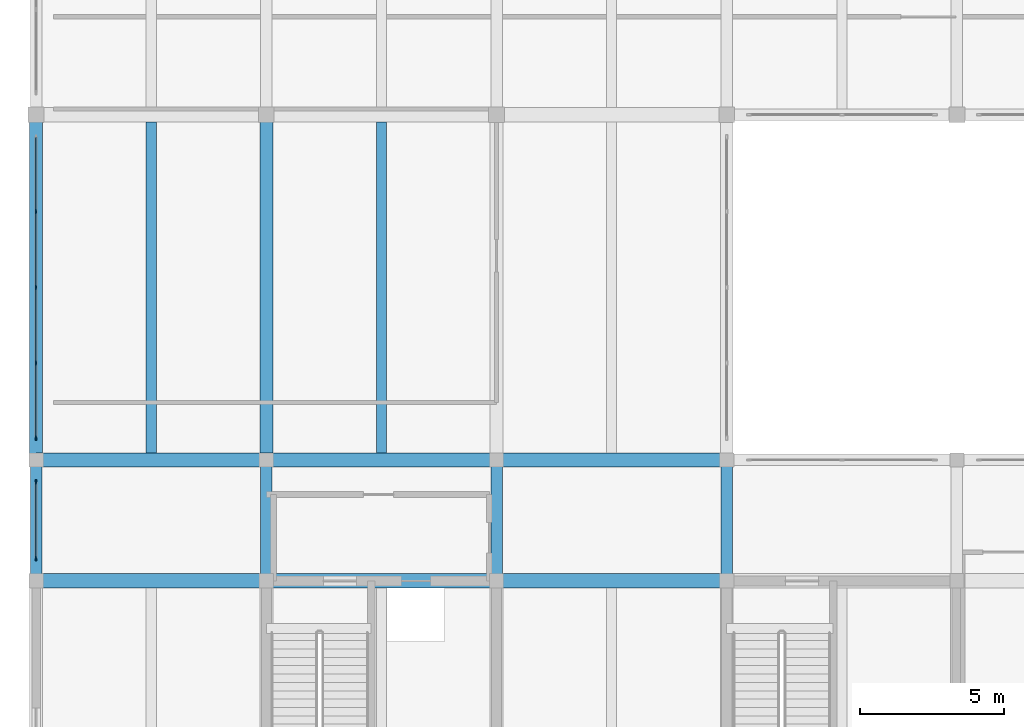
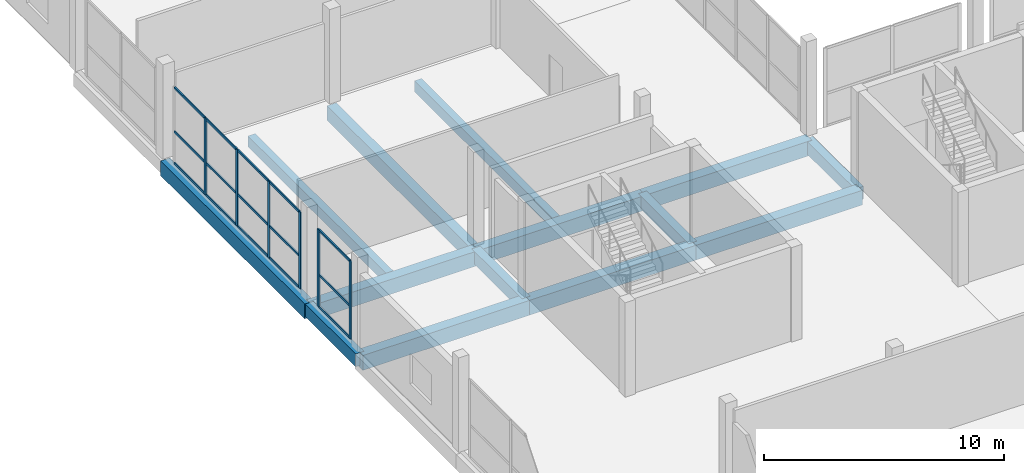
# One storey, part 13 of 47: 21 members, 14 beams, 2 elements without a shape of their own.
"""IFC4 building model written with IfcOpenShell, lengths in metres."""

from ifc_helpers import new_model, si_unit, direction, frame, origin, origin_2d, place, context, subcontext, project, spatial, rectangle, extrude, material, material_profile, profile_set, type_object, element, aggregate, save


model = new_model("IFC4")

# Units and contexts
model_context = context("Model", 3, precision=1e-05, world=origin(), true_north=direction((0.0, 1.0)))
body_context = subcontext(model_context, "Body", "Model", "MODEL_VIEW")
ifc_project = project(units=[si_unit("LENGTHUNIT", "METRE"), si_unit("AREAUNIT", "SQUARE_METRE"), si_unit("VOLUMEUNIT", "CUBIC_METRE"), si_unit("PLANEANGLEUNIT", "RADIAN"), si_unit("MASSUNIT", "GRAM", prefix="KILO")], contexts=[model_context])

# Site, building, storey
site_placement = place(None, origin())
site = spatial("IfcSite", under=ifc_project, at=site_placement, CompositionType="ELEMENT")
building_placement = place(site_placement, origin())
building = spatial("IfcBuilding", under=site, at=building_placement, Name="Vharandega Faculty of Natural Sciences", CompositionType="ELEMENT")
storey_placement = place(building_placement, frame((0.0, 0.0, 5.39990234375)))
storey = spatial("IfcBuildingStorey", under=building, at=storey_placement, Name="L01", CompositionType="ELEMENT", Elevation=5.39990234375)

# Curtain wall, members
ifc_material_1 = material(Name="Aluminium and solar-control glass curtain wall", Category="aluminium")
curtain_wall_type_1 = type_object("IfcCurtainWallType", Name="Unitised Curtain Wall System CW-15", PredefinedType="NOTDEFINED", material=ifc_material_1)
curtain_wall_1_placement = place(storey_placement, origin())
curtain_wall_1 = element("IfcCurtainWall", 1, at=curtain_wall_1_placement, inside=storey, type_object=curtain_wall_type_1, Name="Curtain Wall CW-L01-042", PredefinedType="NOTDEFINED")
ifc_material_2 = material(Name="Thermally broken aluminium 6063-T6", Category="aluminium")
ifc_material_profile_1 = material_profile(ifc_material_2, rectangle(XDim=0.06005859375, YDim=0.159912109375, at=origin_2d()), Name="ALU 60x160")
ifc_profile_set_1 = profile_set([ifc_material_profile_1], Name="Thermally broken aluminium 6063-T6")
member_type_1 = type_object("IfcMemberType", Name="CW Mullion 60x160", PredefinedType="MULLION", material=ifc_profile_set_1)
member_1_placement = place(storey_placement, frame((0.0, 81.570068359375, 0.0), z_axis=(0.0, 0.0, 1.0), x_axis=(-1.0, 0.0, 0.0)))
member_1 = element("IfcMember", 2, at=member_1_placement, type_object=member_type_1, Name="CW-15 mullion 1", PredefinedType="MULLION", context=body_context, shape_type="SweptSolid", body=[
    extrude(rectangle(XDim=0.06005859375, YDim=0.159912109375, at=origin_2d()), origin(), (0.0, 0.0, 1.0), 3.940185546875),
])
member_2_placement = place(storey_placement, frame((0.0, 84.22998046875, 0.0), z_axis=(0.0, 0.0, 1.0), x_axis=(-1.0, 0.0, 0.0)))
member_2 = element("IfcMember", 3, at=member_2_placement, type_object=member_type_1, Name="CW-15 mullion 2", PredefinedType="MULLION", context=body_context, shape_type="SweptSolid", body=[
    extrude(rectangle(XDim=0.06005859375, YDim=0.159912109375, at=origin_2d()), origin(), (0.0, 0.0, 1.0), 3.940185546875),
])

ifc_material_3 = material(Name="Aluminium and solar-control glass curtain wall", Category="aluminium")
curtain_wall_type_2 = type_object("IfcCurtainWallType", Name="Unitised Curtain Wall System CW-16", PredefinedType="NOTDEFINED", material=ifc_material_3)
curtain_wall_2_placement = place(storey_placement, origin())
curtain_wall_2 = element("IfcCurtainWall", 4, at=curtain_wall_2_placement, inside=storey, type_object=curtain_wall_type_2, Name="Curtain Wall CW-L01-043", PredefinedType="NOTDEFINED")
member_3_placement = place(storey_placement, frame((0.0, 85.77001953125, 0.0), z_axis=(0.0, 0.0, 1.0), x_axis=(-1.0, 0.0, 0.0)))
member_3 = element("IfcMember", 5, at=member_3_placement, type_object=member_type_1, Name="CW-16 mullion 1", PredefinedType="MULLION", context=body_context, shape_type="SweptSolid", body=[
    extrude(rectangle(XDim=0.06005859375, YDim=0.159912109375, at=origin_2d()), origin(), (0.0, 0.0, 1.0), 3.89013671875),
])
member_4_placement = place(storey_placement, frame((0.0, 88.3701171875, 0.0), z_axis=(0.0, 0.0, 1.0), x_axis=(-1.0, 0.0, 0.0)))
member_4 = element("IfcMember", 6, at=member_4_placement, type_object=member_type_1, Name="CW-16 mullion 2", PredefinedType="MULLION", context=body_context, shape_type="SweptSolid", body=[
    extrude(rectangle(XDim=0.06005859375, YDim=0.159912109375, at=origin_2d()), origin(), (0.0, 0.0, 1.0), 3.89013671875),
])
member_5_placement = place(storey_placement, frame((0.0, 91.0, 0.0), z_axis=(0.0, 0.0, 1.0), x_axis=(-1.0, 0.0, 0.0)))
member_5 = element("IfcMember", 7, at=member_5_placement, type_object=member_type_1, Name="CW-16 mullion 3", PredefinedType="MULLION", context=body_context, shape_type="SweptSolid", body=[
    extrude(rectangle(XDim=0.06005859375, YDim=0.159912109375, at=origin_2d()), origin(), (0.0, 0.0, 1.0), 3.89013671875),
])
member_6_placement = place(storey_placement, frame((0.0, 93.6298828125, 0.0), z_axis=(0.0, 0.0, 1.0), x_axis=(-1.0, 0.0, 0.0)))
member_6 = element("IfcMember", 8, at=member_6_placement, type_object=member_type_1, Name="CW-16 mullion 4", PredefinedType="MULLION", context=body_context, shape_type="SweptSolid", body=[
    extrude(rectangle(XDim=0.06005859375, YDim=0.159912109375, at=origin_2d()), origin(), (0.0, 0.0, 1.0), 3.89013671875),
])

# Member
ifc_material_4 = material(Name="Thermally broken aluminium 6063-T6", Category="aluminium")
ifc_material_profile_2 = material_profile(ifc_material_4, rectangle(XDim=0.06005859375, YDim=0.1201171875, at=origin_2d()), Name="ALU 60x120")
ifc_profile_set_2 = profile_set([ifc_material_profile_2], Name="Thermally broken aluminium 6063-T6")
member_type_2 = type_object("IfcMemberType", Name="CW Transom 60x120", PredefinedType="USERDEFINED", material=ifc_profile_set_2)
member_7_placement = place(storey_placement, frame((0.0, 81.60009765625, 0.030029296875), z_axis=(0.0, 1.0, 0.0), x_axis=(-1.0, 0.0, 0.0)))
member_7 = element("IfcMember", 9, at=member_7_placement, type_object=member_type_2, Name="CW-15 transom 1.1", ObjectType="TRANSOM", PredefinedType="USERDEFINED", context=body_context, shape_type="SweptSolid", body=[
    extrude(rectangle(XDim=0.06005859375, YDim=0.1201171875, at=origin_2d()), origin(), (0.0, 0.0, 1.0), 2.599853515625),
])

member_8_placement = place(storey_placement, frame((0.0, 81.60009765625, 1.65478515625), z_axis=(0.0, 1.0, 0.0), x_axis=(-1.0, 0.0, 0.0)))
member_8 = element("IfcMember", 10, at=member_8_placement, type_object=member_type_2, Name="CW-15 transom 1.2", ObjectType="TRANSOM", PredefinedType="USERDEFINED", context=body_context, shape_type="SweptSolid", body=[
    extrude(rectangle(XDim=0.06005859375, YDim=0.1201171875, at=origin_2d()), origin(), (0.0, 0.0, 1.0), 2.599853515625),
])

member_9_placement = place(storey_placement, frame((0.0, 81.60009765625, 3.91015625), z_axis=(0.0, 1.0, 0.0), x_axis=(-1.0, 0.0, 0.0)))
member_9 = element("IfcMember", 11, at=member_9_placement, type_object=member_type_2, Name="CW-15 transom 1.3", ObjectType="TRANSOM", PredefinedType="USERDEFINED", context=body_context, shape_type="SweptSolid", body=[
    extrude(rectangle(XDim=0.06005859375, YDim=0.1201171875, at=origin_2d()), origin(), (0.0, 0.0, 1.0), 2.599853515625),
])

aggregate(curtain_wall_1, [member_1, member_2, member_7, member_8, member_9])

member_10_placement = place(storey_placement, frame((0.0, 85.800048828125, 0.030029296875), z_axis=(0.0, 1.0, 0.0), x_axis=(-1.0, 0.0, 0.0)))
member_10 = element("IfcMember", 12, at=member_10_placement, type_object=member_type_2, Name="CW-16 transom 1.1", ObjectType="TRANSOM", PredefinedType="USERDEFINED", context=body_context, shape_type="SweptSolid", body=[
    extrude(rectangle(XDim=0.06005859375, YDim=0.1201171875, at=origin_2d()), origin(), (0.0, 0.0, 1.0), 2.5400390625),
])

member_11_placement = place(storey_placement, frame((0.0, 85.800048828125, 1.6337890625), z_axis=(0.0, 1.0, 0.0), x_axis=(-1.0, 0.0, 0.0)))
member_11 = element("IfcMember", 13, at=member_11_placement, type_object=member_type_2, Name="CW-16 transom 1.2", ObjectType="TRANSOM", PredefinedType="USERDEFINED", context=body_context, shape_type="SweptSolid", body=[
    extrude(rectangle(XDim=0.06005859375, YDim=0.1201171875, at=origin_2d()), origin(), (0.0, 0.0, 1.0), 2.5400390625),
])

member_12_placement = place(storey_placement, frame((0.0, 85.800048828125, 3.860107421875), z_axis=(0.0, 1.0, 0.0), x_axis=(-1.0, 0.0, 0.0)))
member_12 = element("IfcMember", 14, at=member_12_placement, type_object=member_type_2, Name="CW-16 transom 1.3", ObjectType="TRANSOM", PredefinedType="USERDEFINED", context=body_context, shape_type="SweptSolid", body=[
    extrude(rectangle(XDim=0.06005859375, YDim=0.1201171875, at=origin_2d()), origin(), (0.0, 0.0, 1.0), 2.5400390625),
])

member_13_placement = place(storey_placement, frame((0.0, 88.39990234375, 0.030029296875), z_axis=(0.0, 1.0, 0.0), x_axis=(-1.0, 0.0, 0.0)))
member_13 = element("IfcMember", 15, at=member_13_placement, type_object=member_type_2, Name="CW-16 transom 2.1", ObjectType="TRANSOM", PredefinedType="USERDEFINED", context=body_context, shape_type="SweptSolid", body=[
    extrude(rectangle(XDim=0.06005859375, YDim=0.1201171875, at=origin_2d()), origin(), (0.0, 0.0, 1.0), 2.570068359375),
])

member_14_placement = place(storey_placement, frame((0.0, 88.39990234375, 1.6337890625), z_axis=(0.0, 1.0, 0.0), x_axis=(-1.0, 0.0, 0.0)))
member_14 = element("IfcMember", 16, at=member_14_placement, type_object=member_type_2, Name="CW-16 transom 2.2", ObjectType="TRANSOM", PredefinedType="USERDEFINED", context=body_context, shape_type="SweptSolid", body=[
    extrude(rectangle(XDim=0.06005859375, YDim=0.1201171875, at=origin_2d()), origin(), (0.0, 0.0, 1.0), 2.570068359375),
])

member_15_placement = place(storey_placement, frame((0.0, 88.39990234375, 3.860107421875), z_axis=(0.0, 1.0, 0.0), x_axis=(-1.0, 0.0, 0.0)))
member_15 = element("IfcMember", 17, at=member_15_placement, type_object=member_type_2, Name="CW-16 transom 2.3", ObjectType="TRANSOM", PredefinedType="USERDEFINED", context=body_context, shape_type="SweptSolid", body=[
    extrude(rectangle(XDim=0.06005859375, YDim=0.1201171875, at=origin_2d()), origin(), (0.0, 0.0, 1.0), 2.570068359375),
])

member_16_placement = place(storey_placement, frame((0.0, 91.030029296875, 0.030029296875), z_axis=(0.0, 1.0, 0.0), x_axis=(-1.0, 0.0, 0.0)))
member_16 = element("IfcMember", 18, at=member_16_placement, type_object=member_type_2, Name="CW-16 transom 3.1", ObjectType="TRANSOM", PredefinedType="USERDEFINED", context=body_context, shape_type="SweptSolid", body=[
    extrude(rectangle(XDim=0.06005859375, YDim=0.1201171875, at=origin_2d()), origin(), (0.0, 0.0, 1.0), 2.570068359375),
])

member_17_placement = place(storey_placement, frame((0.0, 91.030029296875, 1.6337890625), z_axis=(0.0, 1.0, 0.0), x_axis=(-1.0, 0.0, 0.0)))
member_17 = element("IfcMember", 19, at=member_17_placement, type_object=member_type_2, Name="CW-16 transom 3.2", ObjectType="TRANSOM", PredefinedType="USERDEFINED", context=body_context, shape_type="SweptSolid", body=[
    extrude(rectangle(XDim=0.06005859375, YDim=0.1201171875, at=origin_2d()), origin(), (0.0, 0.0, 1.0), 2.570068359375),
])

member_18_placement = place(storey_placement, frame((0.0, 91.030029296875, 3.860107421875), z_axis=(0.0, 1.0, 0.0), x_axis=(-1.0, 0.0, 0.0)))
member_18 = element("IfcMember", 20, at=member_18_placement, type_object=member_type_2, Name="CW-16 transom 3.3", ObjectType="TRANSOM", PredefinedType="USERDEFINED", context=body_context, shape_type="SweptSolid", body=[
    extrude(rectangle(XDim=0.06005859375, YDim=0.1201171875, at=origin_2d()), origin(), (0.0, 0.0, 1.0), 2.570068359375),
])

member_19_placement = place(storey_placement, frame((0.0, 93.659912109375, 0.030029296875), z_axis=(0.0, 1.0, 0.0), x_axis=(-1.0, 0.0, 0.0)))
member_19 = element("IfcMember", 21, at=member_19_placement, type_object=member_type_2, Name="CW-16 transom 4.1", ObjectType="TRANSOM", PredefinedType="USERDEFINED", context=body_context, shape_type="SweptSolid", body=[
    extrude(rectangle(XDim=0.06005859375, YDim=0.1201171875, at=origin_2d()), origin(), (0.0, 0.0, 1.0), 2.5400390625),
])

member_20_placement = place(storey_placement, frame((0.0, 93.659912109375, 1.6337890625), z_axis=(0.0, 1.0, 0.0), x_axis=(-1.0, 0.0, 0.0)))
member_20 = element("IfcMember", 22, at=member_20_placement, type_object=member_type_2, Name="CW-16 transom 4.2", ObjectType="TRANSOM", PredefinedType="USERDEFINED", context=body_context, shape_type="SweptSolid", body=[
    extrude(rectangle(XDim=0.06005859375, YDim=0.1201171875, at=origin_2d()), origin(), (0.0, 0.0, 1.0), 2.5400390625),
])

member_21_placement = place(storey_placement, frame((0.0, 93.659912109375, 3.860107421875), z_axis=(0.0, 1.0, 0.0), x_axis=(-1.0, 0.0, 0.0)))
member_21 = element("IfcMember", 23, at=member_21_placement, type_object=member_type_2, Name="CW-16 transom 4.3", ObjectType="TRANSOM", PredefinedType="USERDEFINED", context=body_context, shape_type="SweptSolid", body=[
    extrude(rectangle(XDim=0.06005859375, YDim=0.1201171875, at=origin_2d()), origin(), (0.0, 0.0, 1.0), 2.5400390625),
])

aggregate(curtain_wall_2, [member_3, member_4, member_5, member_6, member_10, member_11, member_12, member_13, member_14, member_15, member_16, member_17, member_18, member_19, member_20, member_21])

# Beams
ifc_material_5 = material(Name="Concrete C40/50", Category="concrete")
ifc_material_profile_3 = material_profile(ifc_material_5, rectangle(XDim=0.39990234375, YDim=0.64990234375, at=origin_2d()), Name="RC 400x650")
ifc_profile_set_3 = profile_set([ifc_material_profile_3], Name="Concrete C40/50")
beam_type_1 = type_object("IfcBeamType", Name="Podium Floor Beam 400x650", PredefinedType="BEAM", material=ifc_profile_set_3)
for number, where, z_axis, x_axis, name in (
    (24, (0.0, 80.800048828125, -0.5849609375), (0.0, 1.0, 0.0), (-1.0, 0.0, 0.0), "Beam L01 1/L-M"),
    (25, (8.0, 80.800048828125, -0.5849609375), (0.0, 1.0, 0.0), (-1.0, 0.0, 0.0), "Beam L01 2/L-M"),
    (26, (16.0, 80.800048828125, -0.5849609375), (0.0, 1.0, 0.0), (-1.0, 0.0, 0.0), "Beam L01 3/L-M"),
    (27, (24.0, 80.800048828125, -0.60498046875), (0.0, 1.0, 0.0), (-1.0, 0.0, 0.0), "Beam L01 4/L-M"),
):
    element("IfcBeam", number, at=place(storey_placement, frame(where, z_axis=z_axis, x_axis=x_axis)), inside=storey, type_object=beam_type_1, Name=name, PredefinedType="BEAM", context=body_context, shape_type="SweptSolid", body=[
        extrude(rectangle(XDim=0.39990234375, YDim=0.64990234375, at=origin_2d()), origin(), (0.0, 0.0, 1.0), 4.199951171875),
    ])
ifc_material_6 = material(Name="Concrete C40/50", Category="concrete")
ifc_material_profile_4 = material_profile(ifc_material_6, rectangle(XDim=0.5, YDim=0.75, at=origin_2d()), Name="RC 500x750")
ifc_profile_set_4 = profile_set([ifc_material_profile_4], Name="Concrete C40/50")
beam_type_2 = type_object("IfcBeamType", Name="Podium Primary Beam 500x750", PredefinedType="BEAM", material=ifc_profile_set_4)
for number, where, z_axis, x_axis, name in (
    (28, (0.0, 80.800048828125, -0.635009765625), (1.0, 0.0, 0.0), (0.0, 1.0, 0.0), "Beam L01 L/1-2"),
    (29, (8.0, 80.800048828125, -0.635009765625), (1.0, 0.0, 0.0), (0.0, 1.0, 0.0), "Beam L01 L/2-3"),
    (30, (16.0, 80.800048828125, -0.635009765625), (1.0, 0.0, 0.0), (0.0, 1.0, 0.0), "Beam L01 L/3-4"),
    (31, (0.0, 85.0, -0.635009765625), (1.0, 0.0, 0.0), (0.0, 1.0, 0.0), "Beam L01 M/1-2"),
    (32, (8.0, 85.0, -0.635009765625), (1.0, 0.0, 0.0), (0.0, 1.0, 0.0), "Beam L01 M/2-3"),
    (33, (16.0, 85.0, -0.635009765625), (1.0, 0.0, 0.0), (0.0, 1.0, 0.0), "Beam L01 M/3-4"),
):
    element("IfcBeam", number, at=place(storey_placement, frame(where, z_axis=z_axis, x_axis=x_axis)), inside=storey, type_object=beam_type_2, Name=name, PredefinedType="BEAM", context=body_context, shape_type="SweptSolid", body=[
        extrude(rectangle(XDim=0.5, YDim=0.75, at=origin_2d()), origin(), (0.0, 0.0, 1.0), 8.0),
    ])
ifc_material_7 = material(Name="Concrete C40/50", Category="concrete")
ifc_material_profile_5 = material_profile(ifc_material_7, rectangle(XDim=0.35009765625, YDim=0.550048828125, at=origin_2d()), Name="RC 350x550")
ifc_profile_set_5 = profile_set([ifc_material_profile_5], Name="Concrete C40/50")
beam_type_3 = type_object("IfcBeamType", Name="Podium Secondary Beam 350x550", PredefinedType="JOIST", material=ifc_profile_set_5)
for number, where, z_axis, x_axis, name in (
    (34, (4.0, 85.25, -0.534912109375), (0.0, 1.0, 0.0), (-1.0, 0.0, 0.0), "Secondary Joist L01 1-2/M-N"),
    (35, (12.0, 85.25, -0.534912109375), (0.0, 1.0, 0.0), (-1.0, 0.0, 0.0), "Secondary Joist L01 2-3/M-N"),
):
    element("IfcBeam", number, at=place(storey_placement, frame(where, z_axis=z_axis, x_axis=x_axis)), inside=storey, type_object=beam_type_3, Name=name, PredefinedType="JOIST", context=body_context, shape_type="SweptSolid", body=[
        extrude(rectangle(XDim=0.35009765625, YDim=0.550048828125, at=origin_2d()), origin(), (0.0, 0.0, 1.0), 11.5),
    ])
ifc_material_8 = material(Name="Concrete C40/50", Category="concrete")
ifc_material_profile_6 = material_profile(ifc_material_8, rectangle(XDim=0.449951171875, YDim=0.75, at=origin_2d()), Name="RC 450x750")
ifc_profile_set_6 = profile_set([ifc_material_profile_6], Name="Concrete C40/50")
beam_type_4 = type_object("IfcBeamType", Name="Podium Spine Beam 450x750", PredefinedType="BEAM", material=ifc_profile_set_6)
for number, where, z_axis, x_axis, name in (
    (36, (0.0, 85.0, -0.635009765625), (0.0, 1.0, 0.0), (-1.0, 0.0, 0.0), "Beam L01 1/M-N"),
    (37, (8.0, 85.0, -0.635009765625), (0.0, 1.0, 0.0), (-1.0, 0.0, 0.0), "Beam L01 2/M-N"),
):
    element("IfcBeam", number, at=place(storey_placement, frame(where, z_axis=z_axis, x_axis=x_axis)), inside=storey, type_object=beam_type_4, Name=name, PredefinedType="BEAM", context=body_context, shape_type="SweptSolid", body=[
        extrude(rectangle(XDim=0.449951171875, YDim=0.75, at=origin_2d()), origin(), (0.0, 0.0, 1.0), 12.0),
    ])

save(model, "model.ifc")
